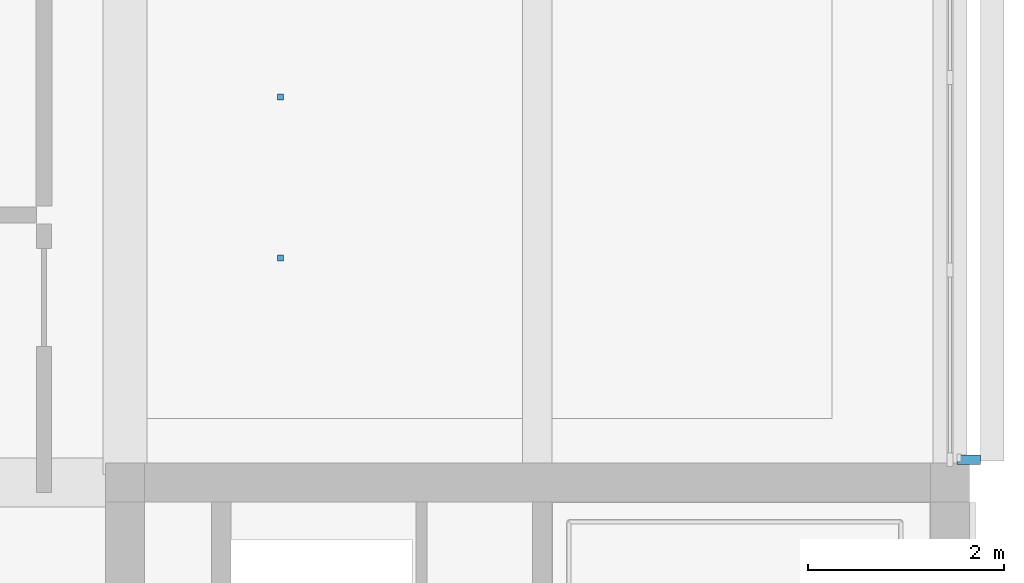
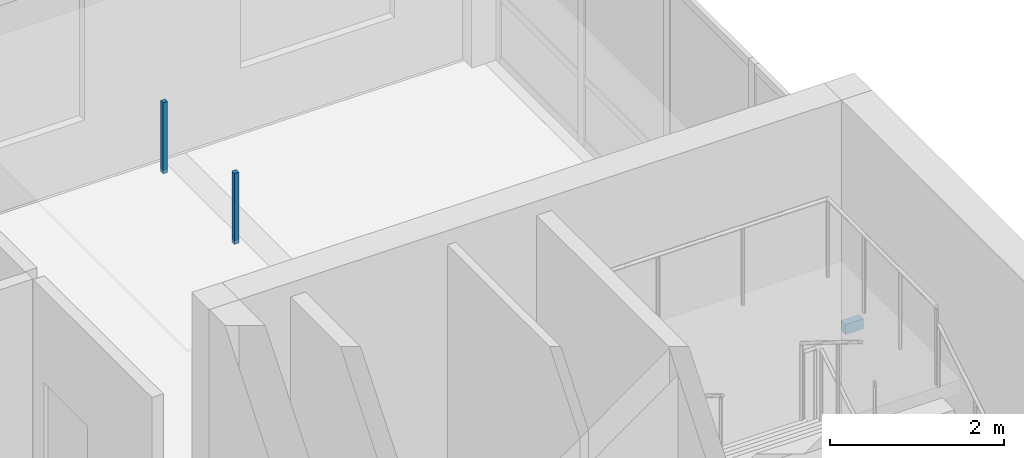
# One storey, part 20 of 35: 3 discrete accessories.
"""IFC4 building model written with IfcOpenShell, lengths in metres."""

from ifc_helpers import new_model, si_unit, direction, frame, origin, origin_2d, place, context, subcontext, project, spatial, rectangle, extrude, material, type_object, element, save


model = new_model("IFC4")

# Units and contexts
model_context = context("Model", 3, precision=1e-05, world=origin(), true_north=direction((0.0, 1.0)))
body_context = subcontext(model_context, "Body", "Model", "MODEL_VIEW")
ifc_project = project(units=[si_unit("LENGTHUNIT", "METRE"), si_unit("AREAUNIT", "SQUARE_METRE"), si_unit("VOLUMEUNIT", "CUBIC_METRE"), si_unit("PLANEANGLEUNIT", "RADIAN"), si_unit("MASSUNIT", "GRAM", prefix="KILO")], contexts=[model_context])

# Site, building, storey
site_placement = place(None, origin())
site = spatial("IfcSite", under=ifc_project, at=site_placement, CompositionType="ELEMENT")
building_placement = place(site_placement, origin())
building = spatial("IfcBuilding", under=site, at=building_placement, Name="Telukmera Botanical Conservatory", CompositionType="ELEMENT")
storey_placement = place(building_placement, frame((0.0, 0.0, 46.5)))
storey = spatial("IfcBuildingStorey", under=building, at=storey_placement, Name="L10", CompositionType="ELEMENT", Elevation=46.5)

# Discrete accessories
ifc_material = material(Name="Steel S355", Category="steel")
discrete_accessory_type_1 = type_object("IfcDiscreteAccessoryType", Name="ACC-CEIL-HGR", PredefinedType="BRACKET", material=ifc_material)
for number, where, z_axis, x_axis, name in (
    (1, (93.98388671875, 36.6875, 3.31005859375), (0.0, 0.0, 1.0), (1.0, 0.0, 0.0), "L10 Suspended Ceiling Hanger Rod 032-1"),
    (2, (93.98388671875, 38.324951171875, 3.31005859375), (0.0, 0.0, 1.0), (1.0, 0.0, 0.0), "L10 Suspended Ceiling Hanger Rod 032-2"),
):
    element("IfcDiscreteAccessory", number, at=place(storey_placement, frame(where, z_axis=z_axis, x_axis=x_axis)), inside=storey, type_object=discrete_accessory_type_1, Name=name, PredefinedType="BRACKET", context=body_context, shape_type="SweptSolid", body=[
        extrude(rectangle(XDim=0.06005859375, YDim=0.06005859375, at=origin_2d()), origin(), (0.0, 0.0, 1.0), 0.9951171875),
    ])
discrete_accessory_type_2 = type_object("IfcDiscreteAccessoryType", Name="Structural Steel Facade Outrigger Fin Bracket", PredefinedType="BRACKET", material=ifc_material)
discrete_accessory_placement = place(storey_placement, frame((100.989990234375, 34.632080078125, 0.8798828125), z_axis=(0.0, 0.0, 1.0), x_axis=(0.0, 1.0, 0.0)))
element("IfcDiscreteAccessory", 3, at=discrete_accessory_placement, inside=storey, type_object=discrete_accessory_type_2, Name="Facade Outrigger Bracket V4:L10:E4 A", PredefinedType="BRACKET", context=body_context, shape_type="SweptSolid", body=[
    extrude(rectangle(XDim=0.10009765625, YDim=0.239990234375, at=origin_2d()), origin(), (0.0, 0.0, 1.0), 0.139892578125),
])

save(model, "model.ifc")
